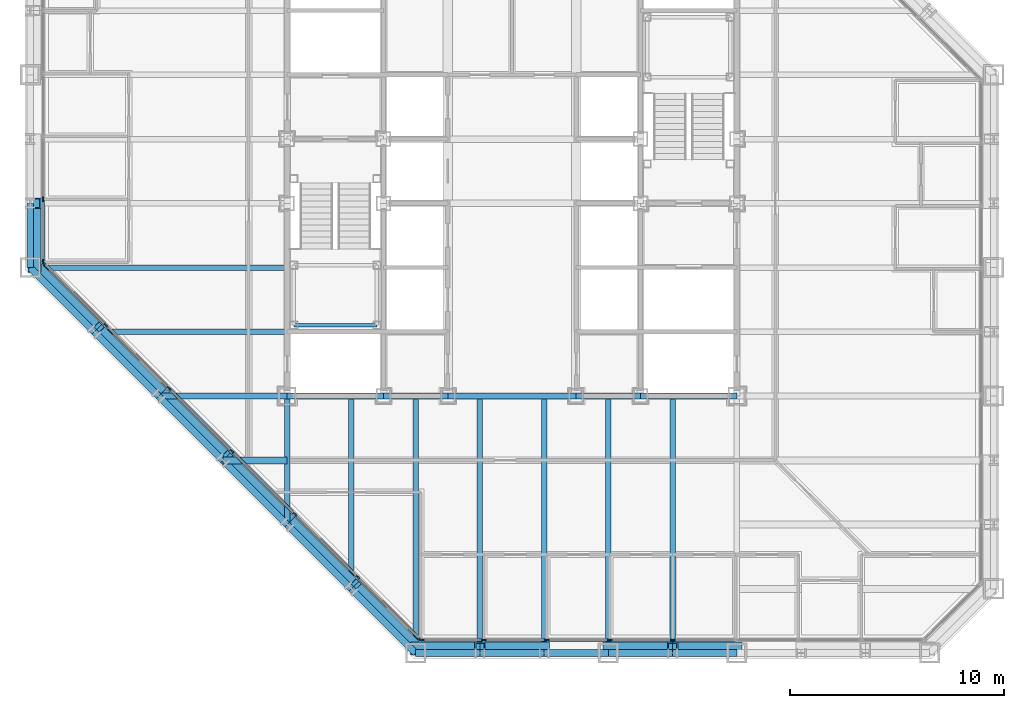
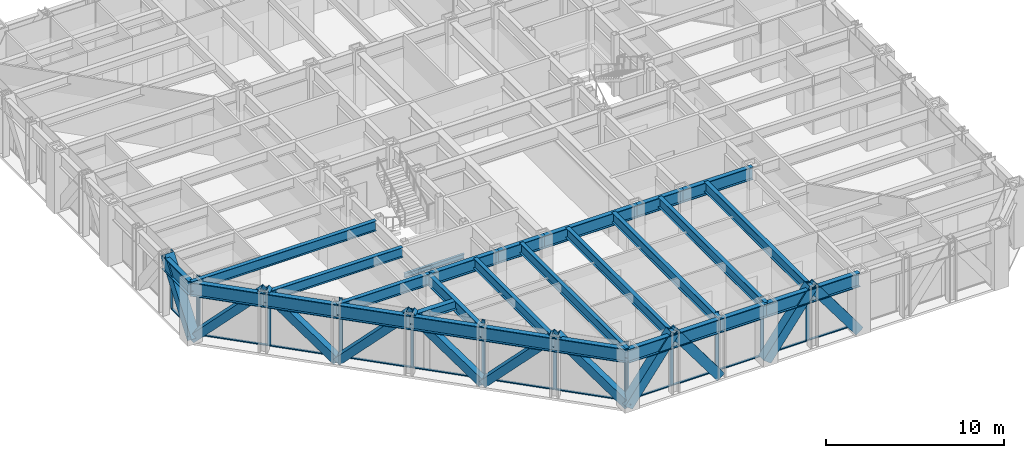
# One storey, part 4 of 17: 37 members, 29 beams, 3 elements without a shape of their own.
"""IFC4 building model written with IfcOpenShell, lengths in metres."""

from ifc_helpers import new_model, si_unit, direction, frame, origin, origin_2d, place, context, subcontext, project, spatial, rectangle, hollow_rectangle, i_section, extrude, material, layer, layer_set, material_profile, profile_set, type_object, element, aggregate, save


model = new_model("IFC4")

# Units and contexts
model_context = context("Model", 3, precision=1e-05, world=origin(), true_north=direction((0.0, 1.0)))
body_context = subcontext(model_context, "Body", "Model", "MODEL_VIEW")
ifc_project = project(units=[si_unit("LENGTHUNIT", "METRE"), si_unit("AREAUNIT", "SQUARE_METRE"), si_unit("VOLUMEUNIT", "CUBIC_METRE"), si_unit("PLANEANGLEUNIT", "RADIAN"), si_unit("MASSUNIT", "GRAM", prefix="KILO")], contexts=[model_context])

# Site, building, storey
site_placement = place(None, origin())
site = spatial("IfcSite", under=ifc_project, at=site_placement, CompositionType="ELEMENT")
building_placement = place(site_placement, origin())
building = spatial("IfcBuilding", under=site, at=building_placement, Name="Chuquiago Exchange Tower", CompositionType="ELEMENT")
storey_placement = place(building_placement, frame((0.0, 0.0, 132.0)))
storey = spatial("IfcBuildingStorey", under=building, at=storey_placement, Name="L28", CompositionType="ELEMENT", Elevation=132.0)

# Beams
ifc_material_1 = material(Name="Steel ASTM A992", Category="steel")
ifc_material_profile_1 = material_profile(ifc_material_1, i_section(OverallWidth=0.25390625, OverallDepth=0.683349609375, WebThickness=0.012451171875, FlangeThickness=0.018798828125, at=origin_2d()), Name="W27X94")
ifc_profile_set_1 = profile_set([ifc_material_profile_1], Name="Steel ASTM A992")
beam_type_1 = type_object("IfcBeamType", Name="B1 W27X94", PredefinedType="BEAM", material=ifc_profile_set_1)
beam_1_placement = place(storey_placement, frame((15.0, 12.0, 3.698486328125), z_axis=(0.0, -1.0, 0.0), x_axis=(1.0, 0.0, 0.0)))
element("IfcBeam", 1, at=beam_1_placement, inside=storey, type_object=beam_type_1, Name="FB-L29-infill-15_12-15_3-0", PredefinedType="BEAM", context=body_context, shape_type="SweptSolid", body=[
    extrude(i_section(OverallWidth=0.25390625, OverallDepth=0.683349609375, WebThickness=0.012451171875, FlangeThickness=0.018798828125, at=origin_2d()), origin(), (0.0, 0.0, 1.0), 9.0),
])
for number, where, z_axis, x_axis, name in (
    (2, (18.0, 12.0, 3.698486328125), (0.0, -1.0, 0.0), (1.0, 0.0, 0.0), "FB-L29-infill-18_12-18_-0-0"),
    (3, (21.0, 12.0, 3.698486328125), (0.0, -1.0, 0.0), (1.0, 0.0, 0.0), "FB-L29-infill-21_12-21_-0-0"),
    (4, (24.0, 12.0, 3.698486328125), (0.0, -1.0, 0.0), (1.0, 0.0, 0.0), "FB-L29-infill-24_12-24_-0-0"),
    (5, (27.0, 12.0, 3.698486328125), (0.0, -1.0, 0.0), (1.0, 0.0, 0.0), "FB-L29-infill-27_12-27_-0-0"),
    (6, (30.0, 12.0, 3.698486328125), (0.0, -1.0, 0.0), (1.0, 0.0, 0.0), "FB-L29-infill-30_12-30_-0-0"),
):
    element("IfcBeam", number, at=place(storey_placement, frame(where, z_axis=z_axis, x_axis=x_axis)), inside=storey, type_object=beam_type_1, Name=name, PredefinedType="BEAM", context=body_context, shape_type="SweptSolid", body=[
        extrude(i_section(OverallWidth=0.25390625, OverallDepth=0.683349609375, WebThickness=0.012451171875, FlangeThickness=0.018798828125, at=origin_2d()), origin(), (0.0, 0.0, 1.0), 12.0),
    ])
beam_2_placement = place(storey_placement, frame((12.0, 15.0, 3.698486328125), z_axis=(-1.0, 0.0, 0.0), x_axis=(0.0, -1.0, 0.0)))
element("IfcBeam", 7, at=beam_2_placement, inside=storey, type_object=beam_type_1, Name="FB-L29-infill-12_15-3_15-0", PredefinedType="BEAM", context=body_context, shape_type="SweptSolid", body=[
    extrude(i_section(OverallWidth=0.25390625, OverallDepth=0.683349609375, WebThickness=0.012451171875, FlangeThickness=0.018798828125, at=origin_2d()), origin(), (0.0, 0.0, 1.0), 9.0),
])
beam_3_placement = place(storey_placement, frame((12.0, 18.0, 3.698486328125), z_axis=(-1.0, 0.0, 0.0), x_axis=(0.0, -1.0, 0.0)))
element("IfcBeam", 8, at=beam_3_placement, inside=storey, type_object=beam_type_1, Name="FB-L29-infill-12_18--0_18-0", PredefinedType="BEAM", context=body_context, shape_type="SweptSolid", body=[
    extrude(i_section(OverallWidth=0.25390625, OverallDepth=0.683349609375, WebThickness=0.012451171875, FlangeThickness=0.018798828125, at=origin_2d()), origin(), (0.0, 0.0, 1.0), 12.0),
])
ifc_material_2 = material(Name="Steel ASTM A992", Category="steel")
ifc_material_profile_2 = material_profile(ifc_material_2, i_section(OverallWidth=0.3251953125, OverallDepth=0.612060546875, WebThickness=0.0126953125, FlangeThickness=0.01904296875, at=origin_2d()), Name="W24X104")
ifc_profile_set_2 = profile_set([ifc_material_profile_2], Name="Steel ASTM A992")
beam_type_2 = type_object("IfcBeamType", Name="B2 W24X104", PredefinedType="BEAM", material=ifc_profile_set_2)
beam_4_placement = place(storey_placement, frame((12.0, 9.0, 3.73388671875), z_axis=(-1.0, 0.0, 0.0), x_axis=(0.0, -1.0, 0.0)))
element("IfcBeam", 9, at=beam_4_placement, inside=storey, type_object=beam_type_2, Name="FB-L29-corner-12_9-9_9-0", PredefinedType="BEAM", context=body_context, shape_type="SweptSolid", body=[
    extrude(i_section(OverallWidth=0.3251953125, OverallDepth=0.612060546875, WebThickness=0.0126953125, FlangeThickness=0.01904296875, at=origin_2d()), origin(), (0.0, 0.0, 1.0), 3.0),
])
ifc_material_3 = material(Name="Steel ASTM A992", Category="steel")
ifc_material_profile_3 = material_profile(ifc_material_3, i_section(OverallWidth=0.2919921875, OverallDepth=0.8583984375, WebThickness=0.01708984375, FlangeThickness=0.031005859375, at=origin_2d()), Name="W33X169")
ifc_profile_set_3 = profile_set([ifc_material_profile_3], Name="Steel ASTM A992")
beam_type_3 = type_object("IfcBeamType", Name="B3 W33X169", PredefinedType="BEAM", material=ifc_profile_set_3)
beam_5_placement = place(storey_placement, frame((12.0, 12.0, 3.610595703125), z_axis=(1.0, 0.0, 0.0), x_axis=(0.0, 1.0, 0.0)))
element("IfcBeam", 10, at=beam_5_placement, inside=storey, type_object=beam_type_3, Name="CB-L29-12_12-16.5_12", PredefinedType="BEAM", context=body_context, shape_type="SweptSolid", body=[
    extrude(i_section(OverallWidth=0.2919921875, OverallDepth=0.8583984375, WebThickness=0.01708984375, FlangeThickness=0.031005859375, at=origin_2d()), origin(), (0.0, 0.0, 1.0), 4.5),
])
beam_6_placement = place(storey_placement, frame((16.5, 12.0, 3.610595703125), z_axis=(1.0, 0.0, 0.0), x_axis=(0.0, 1.0, 0.0)))
element("IfcBeam", 11, at=beam_6_placement, inside=storey, type_object=beam_type_3, Name="CB-L29-16.5_12-19.5_12", PredefinedType="BEAM", context=body_context, shape_type="SweptSolid", body=[
    extrude(i_section(OverallWidth=0.2919921875, OverallDepth=0.8583984375, WebThickness=0.01708984375, FlangeThickness=0.031005859375, at=origin_2d()), origin(), (0.0, 0.0, 1.0), 3.0),
])
beam_7_placement = place(storey_placement, frame((19.5, 12.0, 3.610595703125), z_axis=(1.0, 0.0, 0.0), x_axis=(0.0, 1.0, 0.0)))
element("IfcBeam", 12, at=beam_7_placement, inside=storey, type_object=beam_type_3, Name="CB-L29-19.5_12-25.5_12", PredefinedType="BEAM", context=body_context, shape_type="SweptSolid", body=[
    extrude(i_section(OverallWidth=0.2919921875, OverallDepth=0.8583984375, WebThickness=0.01708984375, FlangeThickness=0.031005859375, at=origin_2d()), origin(), (0.0, 0.0, 1.0), 6.0),
])
beam_8_placement = place(storey_placement, frame((25.5, 12.0, 3.610595703125), z_axis=(1.0, 0.0, 0.0), x_axis=(0.0, 1.0, 0.0)))
element("IfcBeam", 13, at=beam_8_placement, inside=storey, type_object=beam_type_3, Name="CB-L29-25.5_12-28.5_12", PredefinedType="BEAM", context=body_context, shape_type="SweptSolid", body=[
    extrude(i_section(OverallWidth=0.2919921875, OverallDepth=0.8583984375, WebThickness=0.01708984375, FlangeThickness=0.031005859375, at=origin_2d()), origin(), (0.0, 0.0, 1.0), 3.0),
])
beam_9_placement = place(storey_placement, frame((28.5, 12.0, 3.610595703125), z_axis=(1.0, 0.0, 0.0), x_axis=(0.0, 1.0, 0.0)))
element("IfcBeam", 14, at=beam_9_placement, inside=storey, type_object=beam_type_3, Name="CB-L29-28.5_12-33_12", PredefinedType="BEAM", context=body_context, shape_type="SweptSolid", body=[
    extrude(i_section(OverallWidth=0.2919921875, OverallDepth=0.8583984375, WebThickness=0.01708984375, FlangeThickness=0.031005859375, at=origin_2d()), origin(), (0.0, 0.0, 1.0), 4.5),
])

# Curtain wall, members
ifc_material_4 = material(Name="Aluminium curtain wall system", Category="aluminium")
ifc_layer_1 = layer(ifc_material_4, 0.22509765625)
ifc_layer_set_1 = layer_set([ifc_layer_1], Name="CW2 office curtain wall")
curtain_wall_type_1 = type_object("IfcCurtainWallType", Name="CW2 office curtain wall", PredefinedType="NOTDEFINED", material=ifc_layer_set_1)
curtain_wall_1_placement = place(storey_placement, origin())
curtain_wall_1 = element("IfcCurtainWall", 15, at=curtain_wall_1_placement, inside=storey, type_object=curtain_wall_type_1, Name="CW2 curtain wall L28", PredefinedType="NOTDEFINED")
ifc_material_5 = material(Name="Aluminium mullion, pale anodised", Category="aluminium")
ifc_material_profile_4 = material_profile(ifc_material_5, rectangle(XDim=0.06494140625, YDim=0.22509765625, at=origin_2d()), Name="AL 65x225")
ifc_profile_set_4 = profile_set([ifc_material_profile_4], Name="Aluminium mullion, pale anodised")
member_type_1 = type_object("IfcMemberType", Name="CW2-M mullion 65x225", PredefinedType="MULLION", material=ifc_profile_set_4)
member_1_placement = place(storey_placement, frame((18.281005859375, 0.60009765625, 0.0), z_axis=(0.0, 0.0, 1.0), x_axis=(0.0, 1.0, 0.0)))
member_1 = element("IfcMember", 16, at=member_1_placement, type_object=member_type_1, Name="CW2 mullion 1", PredefinedType="MULLION", context=body_context, shape_type="SweptSolid", body=[
    extrude(rectangle(XDim=0.06494140625, YDim=0.22509765625, at=origin_2d()), origin(), (0.0, 0.0, 1.0), 4.0400390625),
])
member_2_placement = place(storey_placement, frame((21.186279296875, 0.60009765625, 0.0), z_axis=(0.0, 0.0, 1.0), x_axis=(0.0, 1.0, 0.0)))
member_2 = element("IfcMember", 17, at=member_2_placement, type_object=member_type_1, Name="CW2 mullion 2", PredefinedType="MULLION", context=body_context, shape_type="SweptSolid", body=[
    extrude(rectangle(XDim=0.06494140625, YDim=0.22509765625, at=origin_2d()), origin(), (0.0, 0.0, 1.0), 4.0400390625),
])
member_3_placement = place(storey_placement, frame((24.124267578125, 0.60009765625, 0.0), z_axis=(0.0, 0.0, 1.0), x_axis=(0.0, 1.0, 0.0)))
member_3 = element("IfcMember", 18, at=member_3_placement, type_object=member_type_1, Name="CW2 mullion 3", PredefinedType="MULLION", context=body_context, shape_type="SweptSolid", body=[
    extrude(rectangle(XDim=0.06494140625, YDim=0.22509765625, at=origin_2d()), origin(), (0.0, 0.0, 1.0), 4.0400390625),
])
member_4_placement = place(storey_placement, frame((27.06201171875, 0.60009765625, 0.0), z_axis=(0.0, 0.0, 1.0), x_axis=(0.0, 1.0, 0.0)))
member_4 = element("IfcMember", 19, at=member_4_placement, type_object=member_type_1, Name="CW2 mullion 4", PredefinedType="MULLION", context=body_context, shape_type="SweptSolid", body=[
    extrude(rectangle(XDim=0.06494140625, YDim=0.22509765625, at=origin_2d()), origin(), (0.0, 0.0, 1.0), 4.0400390625),
])
member_5_placement = place(storey_placement, frame((30.0, 0.60009765625, 0.0), z_axis=(0.0, 0.0, 1.0), x_axis=(0.0, 1.0, 0.0)))
member_5 = element("IfcMember", 20, at=member_5_placement, type_object=member_type_1, Name="CW2 mullion 5", PredefinedType="MULLION", context=body_context, shape_type="SweptSolid", body=[
    extrude(rectangle(XDim=0.06494140625, YDim=0.22509765625, at=origin_2d()), origin(), (0.0, 0.0, 1.0), 4.0400390625),
])

curtain_wall_2_placement = place(storey_placement, origin())
curtain_wall_2 = element("IfcCurtainWall", 21, at=curtain_wall_2_placement, inside=storey, type_object=curtain_wall_type_1, Name="CW2 curtain wall L28", PredefinedType="NOTDEFINED")
member_6_placement = place(storey_placement, frame((0.60009765625, 21.186279296875, 0.0), z_axis=(0.0, 0.0, 1.0), x_axis=(1.0, 0.0, 0.0)))
member_6 = element("IfcMember", 22, at=member_6_placement, type_object=member_type_1, Name="CW2 mullion 8", PredefinedType="MULLION", context=body_context, shape_type="SweptSolid", body=[
    extrude(rectangle(XDim=0.06494140625, YDim=0.22509765625, at=origin_2d()), origin(), (0.0, 0.0, 1.0), 4.0400390625),
])
member_7_placement = place(storey_placement, frame((0.60009765625, 18.281005859375, 0.0), z_axis=(0.0, 0.0, 1.0), x_axis=(1.0, 0.0, 0.0)))
member_7 = element("IfcMember", 23, at=member_7_placement, type_object=member_type_1, Name="CW2 mullion 9", PredefinedType="MULLION", context=body_context, shape_type="SweptSolid", body=[
    extrude(rectangle(XDim=0.06494140625, YDim=0.22509765625, at=origin_2d()), origin(), (0.0, 0.0, 1.0), 4.0400390625),
])

# Member
ifc_material_6 = material(Name="Aluminium transom, pale anodised", Category="aluminium")
ifc_material_profile_5 = material_profile(ifc_material_6, rectangle(XDim=0.139892578125, YDim=0.06494140625, at=origin_2d()), Name="AL 140x65")
ifc_profile_set_5 = profile_set([ifc_material_profile_5], Name="Aluminium transom, pale anodised")
member_type_2 = type_object("IfcMemberType", Name="CW2-T transom 65x140", PredefinedType="MULLION", material=ifc_profile_set_5)
member_8_placement = place(storey_placement, frame((18.3134765625, 0.60009765625, 0.032470703125), z_axis=(1.0, 0.0, 0.0), x_axis=(0.0, 1.0, 0.0)))
member_8 = element("IfcMember", 24, at=member_8_placement, type_object=member_type_2, Name="CW2 transom 1.1", PredefinedType="MULLION", context=body_context, shape_type="SweptSolid", body=[
    extrude(rectangle(XDim=0.139892578125, YDim=0.06494140625, at=origin_2d()), origin(), (0.0, 0.0, 1.0), 2.84033203125),
])

member_9_placement = place(storey_placement, frame((21.218994140625, 0.60009765625, 0.032470703125), z_axis=(1.0, 0.0, 0.0), x_axis=(0.0, 1.0, 0.0)))
member_9 = element("IfcMember", 25, at=member_9_placement, type_object=member_type_2, Name="CW2 transom 2.1", PredefinedType="MULLION", context=body_context, shape_type="SweptSolid", body=[
    extrude(rectangle(XDim=0.139892578125, YDim=0.06494140625, at=origin_2d()), origin(), (0.0, 0.0, 1.0), 2.872802734375),
])

member_10_placement = place(storey_placement, frame((24.15673828125, 0.60009765625, 0.032470703125), z_axis=(1.0, 0.0, 0.0), x_axis=(0.0, 1.0, 0.0)))
member_10 = element("IfcMember", 26, at=member_10_placement, type_object=member_type_2, Name="CW2 transom 3.1", PredefinedType="MULLION", context=body_context, shape_type="SweptSolid", body=[
    extrude(rectangle(XDim=0.139892578125, YDim=0.06494140625, at=origin_2d()), origin(), (0.0, 0.0, 1.0), 2.872802734375),
])

member_11_placement = place(storey_placement, frame((27.0947265625, 0.60009765625, 0.032470703125), z_axis=(1.0, 0.0, 0.0), x_axis=(0.0, 1.0, 0.0)))
member_11 = element("IfcMember", 27, at=member_11_placement, type_object=member_type_2, Name="CW2 transom 4.1", PredefinedType="MULLION", context=body_context, shape_type="SweptSolid", body=[
    extrude(rectangle(XDim=0.139892578125, YDim=0.06494140625, at=origin_2d()), origin(), (0.0, 0.0, 1.0), 2.872802734375),
])

member_12_placement = place(storey_placement, frame((30.032470703125, 0.60009765625, 0.032470703125), z_axis=(1.0, 0.0, 0.0), x_axis=(0.0, 1.0, 0.0)))
member_12 = element("IfcMember", 28, at=member_12_placement, type_object=member_type_2, Name="CW2 transom 5.1", PredefinedType="MULLION", context=body_context, shape_type="SweptSolid", body=[
    extrude(rectangle(XDim=0.139892578125, YDim=0.06494140625, at=origin_2d()), origin(), (0.0, 0.0, 1.0), 2.872802734375),
])

aggregate(curtain_wall_1, [member_1, member_2, member_3, member_4, member_5, member_8, member_9, member_10, member_11, member_12])

member_13_placement = place(storey_placement, frame((0.60009765625, 21.15380859375, 0.032470703125), z_axis=(0.0, -1.0, 0.0), x_axis=(1.0, 0.0, 0.0)))
member_13 = element("IfcMember", 29, at=member_13_placement, type_object=member_type_2, Name="CW2 transom 8.1", PredefinedType="MULLION", context=body_context, shape_type="SweptSolid", body=[
    extrude(rectangle(XDim=0.139892578125, YDim=0.06494140625, at=origin_2d()), origin(), (0.0, 0.0, 1.0), 2.84033203125),
])

aggregate(curtain_wall_2, [member_6, member_7, member_13])

# Curtain wall, members
ifc_material_7 = material(Name="Aluminium curtain wall system", Category="aluminium")
ifc_layer_2 = layer(ifc_material_7, 0.199951171875)
ifc_layer_set_2 = layer_set([ifc_layer_2], Name="CW3 facet curtain wall")
curtain_wall_type_2 = type_object("IfcCurtainWallType", Name="CW3 facet curtain wall", PredefinedType="NOTDEFINED", material=ifc_layer_set_2)
curtain_wall_3_placement = place(storey_placement, origin())
curtain_wall_3 = element("IfcCurtainWall", 30, at=curtain_wall_3_placement, inside=storey, type_object=curtain_wall_type_2, Name="CW3 curtain wall L28", PredefinedType="NOTDEFINED")
ifc_material_8 = material(Name="Aluminium mullion, pale anodised", Category="aluminium")
ifc_material_profile_6 = material_profile(ifc_material_8, rectangle(XDim=0.06494140625, YDim=0.199951171875, at=origin_2d()), Name="AL 65x200")
ifc_profile_set_6 = profile_set([ifc_material_profile_6], Name="Aluminium mullion, pale anodised")
member_type_3 = type_object("IfcMemberType", Name="CW3-M mullion 65x200", PredefinedType="MULLION", material=ifc_profile_set_6)
member_14_placement = place(storey_placement, frame((0.623046875, 18.2255859375, 0.0), z_axis=(0.0, 0.0, 1.0), x_axis=(0.707106781187, 0.707106781187, 0.0)))
member_14 = element("IfcMember", 31, at=member_14_placement, type_object=member_type_3, Name="CW3 mullion 1", PredefinedType="MULLION", context=body_context, shape_type="SweptSolid", body=[
    extrude(rectangle(XDim=0.06494140625, YDim=0.199951171875, at=origin_2d()), origin(), (0.0, 0.0, 1.0), 4.0400390625),
])
member_15_placement = place(storey_placement, frame((3.54150390625, 15.30712890625, 0.0), z_axis=(0.0, 0.0, 1.0), x_axis=(0.707106781187, 0.707106781187, 0.0)))
member_15 = element("IfcMember", 32, at=member_15_placement, type_object=member_type_3, Name="CW3 mullion 2", PredefinedType="MULLION", context=body_context, shape_type="SweptSolid", body=[
    extrude(rectangle(XDim=0.06494140625, YDim=0.199951171875, at=origin_2d()), origin(), (0.0, 0.0, 1.0), 4.0400390625),
])
member_16_placement = place(storey_placement, frame((6.48291015625, 12.36572265625, 0.0), z_axis=(0.0, 0.0, 1.0), x_axis=(0.707106781187, 0.707106781187, 0.0)))
member_16 = element("IfcMember", 33, at=member_16_placement, type_object=member_type_3, Name="CW3 mullion 3", PredefinedType="MULLION", context=body_context, shape_type="SweptSolid", body=[
    extrude(rectangle(XDim=0.06494140625, YDim=0.199951171875, at=origin_2d()), origin(), (0.0, 0.0, 1.0), 4.0400390625),
])
member_17_placement = place(storey_placement, frame((9.42431640625, 9.42431640625, 0.0), z_axis=(0.0, 0.0, 1.0), x_axis=(0.707106781187, 0.707106781187, 0.0)))
member_17 = element("IfcMember", 34, at=member_17_placement, type_object=member_type_3, Name="CW3 mullion 4", PredefinedType="MULLION", context=body_context, shape_type="SweptSolid", body=[
    extrude(rectangle(XDim=0.06494140625, YDim=0.199951171875, at=origin_2d()), origin(), (0.0, 0.0, 1.0), 4.0400390625),
])
member_18_placement = place(storey_placement, frame((12.36572265625, 6.48291015625, 0.0), z_axis=(0.0, 0.0, 1.0), x_axis=(0.707106781187, 0.707106781187, 0.0)))
member_18 = element("IfcMember", 35, at=member_18_placement, type_object=member_type_3, Name="CW3 mullion 5", PredefinedType="MULLION", context=body_context, shape_type="SweptSolid", body=[
    extrude(rectangle(XDim=0.06494140625, YDim=0.199951171875, at=origin_2d()), origin(), (0.0, 0.0, 1.0), 4.0400390625),
])
member_19_placement = place(storey_placement, frame((15.30712890625, 3.54150390625, 0.0), z_axis=(0.0, 0.0, 1.0), x_axis=(0.707106781187, 0.707106781187, 0.0)))
member_19 = element("IfcMember", 36, at=member_19_placement, type_object=member_type_3, Name="CW3 mullion 6", PredefinedType="MULLION", context=body_context, shape_type="SweptSolid", body=[
    extrude(rectangle(XDim=0.06494140625, YDim=0.199951171875, at=origin_2d()), origin(), (0.0, 0.0, 1.0), 4.0400390625),
])
member_20_placement = place(storey_placement, frame((18.2255859375, 0.623046875, 0.0), z_axis=(0.0, 0.0, 1.0), x_axis=(0.707106781187, 0.707106781187, 0.0)))
member_20 = element("IfcMember", 37, at=member_20_placement, type_object=member_type_3, Name="CW3 mullion 7", PredefinedType="MULLION", context=body_context, shape_type="SweptSolid", body=[
    extrude(rectangle(XDim=0.06494140625, YDim=0.199951171875, at=origin_2d()), origin(), (0.0, 0.0, 1.0), 4.0400390625),
])
ifc_material_9 = material(Name="Aluminium transom, pale anodised", Category="aluminium")
ifc_material_profile_7 = material_profile(ifc_material_9, rectangle(XDim=0.139892578125, YDim=0.06494140625, at=origin_2d()), Name="AL 140x65")
ifc_profile_set_7 = profile_set([ifc_material_profile_7], Name="Aluminium transom, pale anodised")
member_type_4 = type_object("IfcMemberType", Name="CW3-T transom 65x140", PredefinedType="MULLION", material=ifc_profile_set_7)
member_21_placement = place(storey_placement, frame((0.64599609375, 18.20263671875, 0.032470703125), z_axis=(0.707106781187, -0.707106781187, 0.0), x_axis=(0.707106781187, 0.707106781187, 0.0)))
member_21 = element("IfcMember", 38, at=member_21_placement, type_object=member_type_4, Name="CW3 transom 1.1", PredefinedType="MULLION", context=body_context, shape_type="SweptSolid", body=[
    extrude(rectangle(XDim=0.139892578125, YDim=0.06494140625, at=origin_2d()), origin(), (0.0, 0.0, 1.0), 4.0625),
])
member_22_placement = place(storey_placement, frame((3.564453125, 15.2841796875, 0.032470703125), z_axis=(0.707106781187, -0.707106781187, 0.0), x_axis=(0.707106781187, 0.707106781187, 0.0)))
member_22 = element("IfcMember", 39, at=member_22_placement, type_object=member_type_4, Name="CW3 transom 2.1", PredefinedType="MULLION", context=body_context, shape_type="SweptSolid", body=[
    extrude(rectangle(XDim=0.139892578125, YDim=0.06494140625, at=origin_2d()), origin(), (0.0, 0.0, 1.0), 4.094970703125),
])
member_23_placement = place(storey_placement, frame((6.505859375, 12.3427734375, 0.032470703125), z_axis=(0.707106781187, -0.707106781187, 0.0), x_axis=(0.707106781187, 0.707106781187, 0.0)))
member_23 = element("IfcMember", 40, at=member_23_placement, type_object=member_type_4, Name="CW3 transom 3.1", PredefinedType="MULLION", context=body_context, shape_type="SweptSolid", body=[
    extrude(rectangle(XDim=0.139892578125, YDim=0.06494140625, at=origin_2d()), origin(), (0.0, 0.0, 1.0), 4.094970703125),
])
member_24_placement = place(storey_placement, frame((9.447265625, 9.4013671875, 0.032470703125), z_axis=(0.707106781187, -0.707106781187, 0.0), x_axis=(0.707106781187, 0.707106781187, 0.0)))
member_24 = element("IfcMember", 41, at=member_24_placement, type_object=member_type_4, Name="CW3 transom 4.1", PredefinedType="MULLION", context=body_context, shape_type="SweptSolid", body=[
    extrude(rectangle(XDim=0.139892578125, YDim=0.06494140625, at=origin_2d()), origin(), (0.0, 0.0, 1.0), 4.094970703125),
])
member_25_placement = place(storey_placement, frame((12.388671875, 6.4599609375, 0.032470703125), z_axis=(0.707106781187, -0.707106781187, 0.0), x_axis=(0.707106781187, 0.707106781187, 0.0)))
member_25 = element("IfcMember", 42, at=member_25_placement, type_object=member_type_4, Name="CW3 transom 5.1", PredefinedType="MULLION", context=body_context, shape_type="SweptSolid", body=[
    extrude(rectangle(XDim=0.139892578125, YDim=0.06494140625, at=origin_2d()), origin(), (0.0, 0.0, 1.0), 4.094970703125),
])
member_26_placement = place(storey_placement, frame((15.330078125, 3.5185546875, 0.032470703125), z_axis=(0.707106781187, -0.707106781187, 0.0), x_axis=(0.707106781187, 0.707106781187, 0.0)))
member_26 = element("IfcMember", 43, at=member_26_placement, type_object=member_type_4, Name="CW3 transom 6.1", PredefinedType="MULLION", context=body_context, shape_type="SweptSolid", body=[
    extrude(rectangle(XDim=0.139892578125, YDim=0.06494140625, at=origin_2d()), origin(), (0.0, 0.0, 1.0), 4.0625),
])
aggregate(curtain_wall_3, [member_14, member_15, member_16, member_17, member_18, member_19, member_20, member_21, member_22, member_23, member_24, member_25, member_26])

# Beams
ifc_material_10 = material(Name="Steel ASTM A992", Category="steel")
ifc_material_profile_8 = material_profile(ifc_material_10, i_section(OverallWidth=0.2666015625, OverallDepth=0.76953125, WebThickness=0.015625, FlangeThickness=0.025390625, at=origin_2d()), Name="W30X132")
ifc_profile_set_8 = profile_set([ifc_material_profile_8], Name="Steel ASTM A992")
beam_type_4 = type_object("IfcBeamType", Name="G1 W30X132", PredefinedType="BEAM", material=ifc_profile_set_8)
for number, where, z_axis, x_axis, name in (
    (44, (12.0, 12.0, 3.6552734375), (0.0, -1.0, 0.0), (1.0, 0.0, 0.0), "FB-L29-girder-12_12-12_6-0"),
    (45, (12.0, 12.0, 3.6552734375), (-1.0, 0.0, 0.0), (0.0, -1.0, 0.0), "FB-L29-girder-12_12-6_12-0"),
):
    element("IfcBeam", number, at=place(storey_placement, frame(where, z_axis=z_axis, x_axis=x_axis)), inside=storey, type_object=beam_type_4, Name=name, PredefinedType="BEAM", context=body_context, shape_type="SweptSolid", body=[
        extrude(i_section(OverallWidth=0.2666015625, OverallDepth=0.76953125, WebThickness=0.015625, FlangeThickness=0.025390625, at=origin_2d()), origin(), (0.0, 0.0, 1.0), 6.0),
    ])

# Members
ifc_material_11 = material(Name="Steel ASTM A500 Grade C", Category="steel")
ifc_material_profile_9 = material_profile(ifc_material_11, hollow_rectangle(XDim=0.508056640625, YDim=0.508056640625, WallThickness=0.017822265625, at=origin_2d()), Name="HSS20X20X3/4")
ifc_profile_set_9 = profile_set([ifc_material_profile_9], Name="Steel ASTM A500 Grade C")
member_type_5 = type_object("IfcMemberType", Name="LB1 HSS20X20X3/4", PredefinedType="BRACE", material=ifc_profile_set_9)
for number, where, z_axis, x_axis, name in (
    (46, (0.177490234375, 18.177490234375, 0.0), (0.512077265487, -0.512077265487, 0.689604051861), (0.707106781187, 0.707106781187, 0.0), "LB-L28-0_18-3_15"),
    (47, (6.177490234375, 12.177490234375, 0.0), (-0.512077265487, 0.512077265487, 0.689604051861), (-0.707106781187, -0.707106781187, 0.0), "LB-L28-3_15-6_12"),
    (48, (6.177490234375, 12.177490234375, 0.0), (0.512077265487, -0.512077265487, 0.689604051861), (0.707106781187, 0.707106781187, 0.0), "LB-L28-6_12-9_9"),
    (49, (12.177490234375, 6.177490234375, 0.0), (-0.512077265487, 0.512077265487, 0.689604051861), (-0.707106781187, -0.707106781187, 0.0), "LB-L28-9_9-12_6"),
    (50, (12.177490234375, 6.177490234375, 0.0), (0.512077265487, -0.512077265487, 0.689604051861), (0.707106781187, 0.707106781187, 0.0), "LB-L28-12_6-15_3"),
    (51, (18.177490234375, 0.177490234375, 0.0), (-0.512077265487, 0.512077265487, 0.689604051861), (-0.707106781187, -0.707106781187, 0.0), "LB-L28-15_3-18_0"),
):
    element("IfcMember", number, at=place(storey_placement, frame(where, z_axis=z_axis, x_axis=x_axis)), inside=storey, type_object=member_type_5, Name=name, PredefinedType="BRACE", context=body_context, shape_type="SweptSolid", body=[
        extrude(hollow_rectangle(XDim=0.508056640625, YDim=0.508056640625, WallThickness=0.017822265625, at=origin_2d()), origin(), (0.0, 0.0, 1.0), 5.8583984375),
    ])

# Beam
ifc_material_12 = material(Name="Steel ASTM A992", Category="steel")
ifc_material_profile_10 = material_profile(ifc_material_12, i_section(OverallWidth=0.164794921875, OverallDepth=0.309814453125, WebThickness=0.005859375, FlangeThickness=0.009765625, at=origin_2d()), Name="W12X26")
ifc_profile_set_10 = profile_set([ifc_material_profile_10], Name="Steel ASTM A992")
beam_type_5 = type_object("IfcBeamType", Name="LT1 W12X26", PredefinedType="BEAM", material=ifc_profile_set_10)
beam_10_placement = place(storey_placement, frame((12.31005859375, 15.31005859375, 1.7451171875), z_axis=(1.0, 0.0, 0.0), x_axis=(0.0, 1.0, 0.0)))
element("IfcBeam", 52, at=beam_10_placement, inside=storey, type_object=beam_type_5, Name="Stair ST1 L28 landing 1 trimmer", PredefinedType="BEAM", context=body_context, shape_type="SweptSolid", body=[
    extrude(i_section(OverallWidth=0.164794921875, OverallDepth=0.309814453125, WebThickness=0.005859375, FlangeThickness=0.009765625, at=origin_2d()), origin(), (0.0, 0.0, 1.0), 3.8798828125),
])

# Members
ifc_material_13 = material(Name="Steel ASTM A572 Grade 50", Category="steel")
ifc_material_profile_11 = material_profile(ifc_material_13, hollow_rectangle(XDim=0.60009765625, YDim=0.60009765625, WallThickness=0.06005859375, at=origin_2d()), Name="BOX600X600X60")
ifc_profile_set_11 = profile_set([ifc_material_profile_11], Name="Steel ASTM A572 Grade 50")
member_type_6 = type_object("IfcMemberType", Name="MB2 BOX600X600X60", PredefinedType="BRACE", material=ifc_profile_set_11)
for number, where, z_axis, x_axis, name in (
    (53, (18.0, 0.205078125, 0.0), (0.596173923302, 0.0, 0.802855312728), (0.0, 1.0, 0.0), "Mega diagonal L28 S face"),
    (54, (24.0, 0.205078125, 0.0), (-0.596173923302, 0.0, 0.802855312728), (0.0, -1.0, 0.0), "Mega diagonal L28 S face"),
    (55, (27.0, 0.205078125, 0.0), (0.596173923302, 0.0, 0.802855312728), (0.0, 1.0, 0.0), "Mega diagonal L28 S face"),
    (56, (33.0, 0.205078125, 0.0), (-0.596173923302, 0.0, 0.802855312728), (0.0, -1.0, 0.0), "Mega diagonal L28 S face"),
    (57, (0.205078125, 18.0, 0.0), (0.0, 0.596173923302, 0.802855312728), (-1.0, 0.0, 0.0), "Mega diagonal L28 W face"),
):
    element("IfcMember", number, at=place(storey_placement, frame(where, z_axis=z_axis, x_axis=x_axis)), inside=storey, type_object=member_type_6, Name=name, PredefinedType="BRACE", context=body_context, shape_type="SweptSolid", body=[
        extrude(hollow_rectangle(XDim=0.60009765625, YDim=0.60009765625, WallThickness=0.06005859375, at=origin_2d()), origin(), (0.0, 0.0, 1.0), 5.031982421875),
    ])

# Beams
ifc_material_14 = material(Name="Steel ASTM A992", Category="steel")
ifc_material_profile_12 = material_profile(ifc_material_14, i_section(OverallWidth=0.309814453125, OverallDepth=0.949951171875, WebThickness=0.0244140625, FlangeThickness=0.0439453125, at=origin_2d()), Name="W36X256")
ifc_profile_set_12 = profile_set([ifc_material_profile_12], Name="Steel ASTM A992")
beam_type_6 = type_object("IfcBeamType", Name="SP2 W36X256", PredefinedType="SPANDREL", material=ifc_profile_set_12)
for number, where, z_axis, x_axis, name in (
    (58, (18.0, 0.0, 3.56494140625), (1.0, 0.0, 0.0), (0.0, 1.0, 0.0), "SPB-L29-18_0-21_0"),
    (59, (21.0, 0.0, 3.56494140625), (1.0, 0.0, 0.0), (0.0, 1.0, 0.0), "SPB-L29-21_0-24_0"),
    (60, (24.0, 0.0, 3.56494140625), (1.0, 0.0, 0.0), (0.0, 1.0, 0.0), "SPB-L29-24_0-27_0"),
    (61, (27.0, 0.0, 3.56494140625), (1.0, 0.0, 0.0), (0.0, 1.0, 0.0), "SPB-L29-27_0-30_0"),
    (62, (30.0, 0.0, 3.56494140625), (1.0, 0.0, 0.0), (0.0, 1.0, 0.0), "SPB-L29-30_0-33_0"),
    (63, (0.0, 21.0, 3.56494140625), (0.0, -1.0, 0.0), (1.0, 0.0, 0.0), "SPB-L29-0_21-0_18"),
):
    element("IfcBeam", number, at=place(storey_placement, frame(where, z_axis=z_axis, x_axis=x_axis)), inside=storey, type_object=beam_type_6, Name=name, PredefinedType="SPANDREL", context=body_context, shape_type="SweptSolid", body=[
        extrude(i_section(OverallWidth=0.309814453125, OverallDepth=0.949951171875, WebThickness=0.0244140625, FlangeThickness=0.0439453125, at=origin_2d()), origin(), (0.0, 0.0, 1.0), 3.0),
    ])
for number, where, z_axis, x_axis, name in (
    (64, (0.0, 18.0, 3.56494140625), (0.707106781187, -0.707106781187, 0.0), (0.707106781187, 0.707106781187, 0.0), "SPB-L29-0_18-3_15"),
    (65, (3.0, 15.0, 3.56494140625), (0.707106781187, -0.707106781187, 0.0), (0.707106781187, 0.707106781187, 0.0), "SPB-L29-3_15-6_12"),
    (66, (6.0, 12.0, 3.56494140625), (0.707106781187, -0.707106781187, 0.0), (0.707106781187, 0.707106781187, 0.0), "SPB-L29-6_12-9_9"),
    (67, (9.0, 9.0, 3.56494140625), (0.707106781187, -0.707106781187, 0.0), (0.707106781187, 0.707106781187, 0.0), "SPB-L29-9_9-12_6"),
    (68, (12.0, 6.0, 3.56494140625), (0.707106781187, -0.707106781187, 0.0), (0.707106781187, 0.707106781187, 0.0), "SPB-L29-12_6-15_3"),
    (69, (15.0, 3.0, 3.56494140625), (0.707106781187, -0.707106781187, 0.0), (0.707106781187, 0.707106781187, 0.0), "SPB-L29-15_3-18_0"),
):
    element("IfcBeam", number, at=place(storey_placement, frame(where, z_axis=z_axis, x_axis=x_axis)), inside=storey, type_object=beam_type_6, Name=name, PredefinedType="SPANDREL", context=body_context, shape_type="SweptSolid", body=[
        extrude(i_section(OverallWidth=0.309814453125, OverallDepth=0.949951171875, WebThickness=0.0244140625, FlangeThickness=0.0439453125, at=origin_2d()), origin(), (0.0, 0.0, 1.0), 4.24267578125),
    ])

save(model, "model.ifc")
